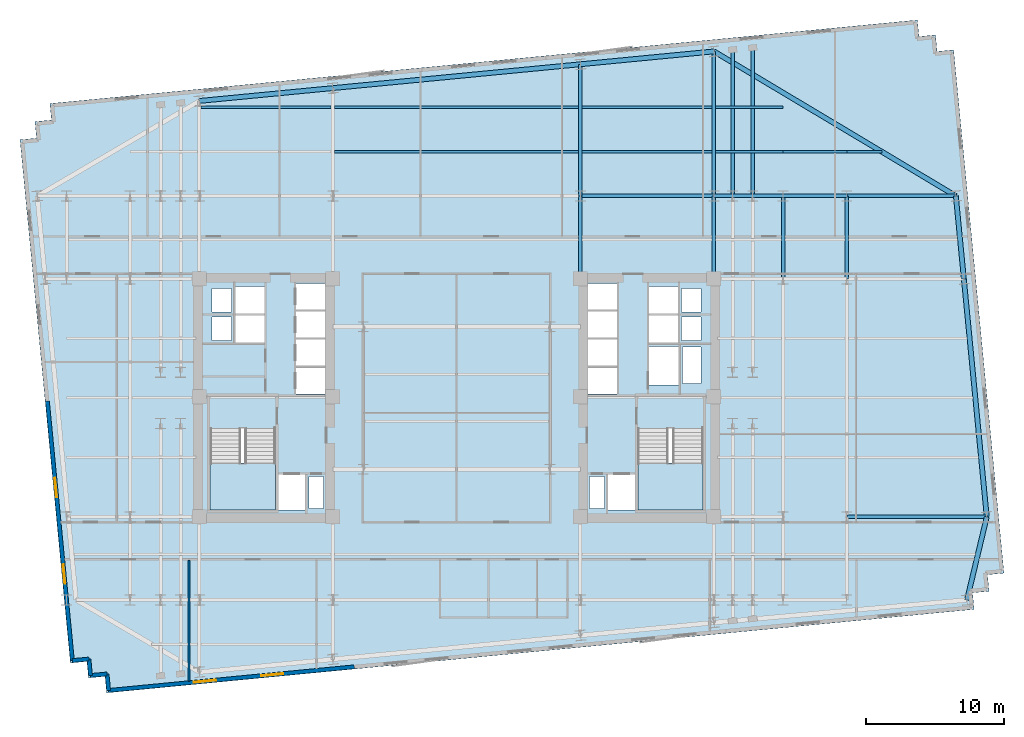
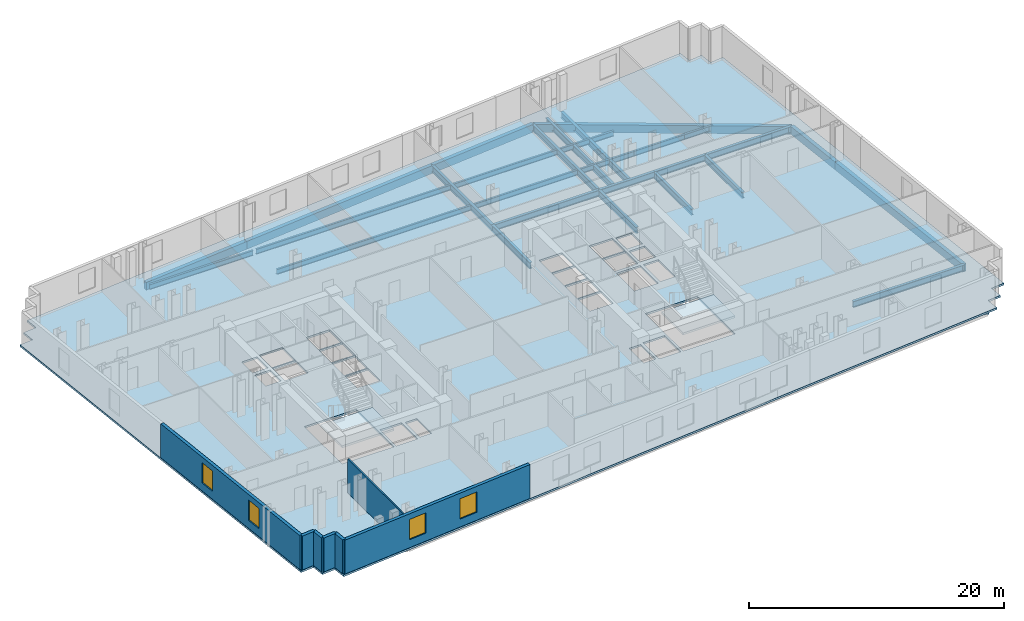
# One storey, part 3 of 11: 29 beams, 7 walls, 4 windows, 3 slabs, 4 openings, 2 elements without a shape of their own.
"""IFC4 building model written with IfcOpenShell, lengths in metres."""

from ifc_helpers import new_model, si_unit, direction, frame, frame_2d, origin, origin_2d, place, context, subcontext, project, spatial, polyline, rectangle, i_section, outline, extrude, material, layer, layer_set, material_profile, profile_set, type_object, element, fill, aggregate, save


model = new_model("IFC4")

# Units and contexts
model_context = context("Model", 3, precision=1e-05, world=origin(), true_north=direction((0.0, 1.0)))
body_context = subcontext(model_context, "Body", "Model", "MODEL_VIEW")
ifc_project = project(units=[si_unit("LENGTHUNIT", "METRE"), si_unit("AREAUNIT", "SQUARE_METRE"), si_unit("VOLUMEUNIT", "CUBIC_METRE"), si_unit("PLANEANGLEUNIT", "RADIAN"), si_unit("MASSUNIT", "GRAM", prefix="KILO")], contexts=[model_context])

# Site, building, storey
site_placement = place(None, origin())
site = spatial("IfcSite", under=ifc_project, at=site_placement, CompositionType="ELEMENT")
building_placement = place(site_placement, origin())
building = spatial("IfcBuilding", under=site, at=building_placement, Name="Velakula Bourse", CompositionType="ELEMENT")
storey_placement = place(building_placement, frame((0.0, 0.0, 101.800048828125)))
storey = spatial("IfcBuildingStorey", under=building, at=storey_placement, Name="L27", CompositionType="ELEMENT", Elevation=101.800048828125)

# Beams
ifc_material_1 = material(Name="Steel IS 2062 Grade 350 (E350)", Category="steel")
ifc_material_profile_1 = material_profile(ifc_material_1, i_section(OverallWidth=0.25, OverallDepth=0.60009765625, WebThickness=0.01171875, FlangeThickness=0.023681640625, at=origin_2d()), Name="Steel IS 2062 Grade 350 (E350)")
ifc_profile_set_1 = profile_set([ifc_material_profile_1], Name="Steel IS 2062 Grade 350 (E350)")
beam_type_1 = type_object("IfcBeamType", Name="BM-GRD-600H", PredefinedType="BEAM", material=ifc_profile_set_1)
for number, where, z_axis, x_axis, name in (
    (1, (8.949951171875, 8.60009765625, -0.47998046875), (0.0, 1.0, 0.0), (-1.0, 0.0, 0.0), "L27 Fulcrum Grid Girder FLC-ECN"),
    (2, (18.60009765625, 8.60009765625, -0.47998046875), (0.0, 1.0, 0.0), (-1.0, 0.0, 0.0), "L27 Fulcrum Grid Girder FLC-EN"),
):
    element("IfcBeam", number, at=place(storey_placement, frame(where, z_axis=z_axis, x_axis=x_axis)), inside=storey, type_object=beam_type_1, Name=name, PredefinedType="BEAM", context=body_context, shape_type="SweptSolid", body=[
        extrude(i_section(OverallWidth=0.25, OverallDepth=0.60009765625, WebThickness=0.01171875, FlangeThickness=0.023681640625, at=origin_2d()), origin(), (0.0, 0.0, 1.0), 6.0),
    ])
beam_1_placement = place(storey_placement, frame((8.949951171875, 14.60009765625, -0.47998046875), z_axis=(1.0, 0.0, 0.0), x_axis=(0.0, 1.0, 0.0)))
element("IfcBeam", 3, at=beam_1_placement, inside=storey, type_object=beam_type_1, Name="L27 Fulcrum Grid Girder FLC-N3", PredefinedType="BEAM", context=body_context, shape_type="SweptSolid", body=[
    extrude(i_section(OverallWidth=0.25, OverallDepth=0.60009765625, WebThickness=0.01171875, FlangeThickness=0.023681640625, at=origin_2d()), origin(), (0.0, 0.0, 1.0), 9.650146484375),
])
beam_2_placement = place(storey_placement, frame((18.60009765625, 14.60009765625, -0.47998046875), z_axis=(1.0, 0.0, 0.0), x_axis=(0.0, 1.0, 0.0)))
element("IfcBeam", 4, at=beam_2_placement, inside=storey, type_object=beam_type_1, Name="L27 Fulcrum Grid Girder MWG-EN2", PredefinedType="BEAM", context=body_context, shape_type="SweptSolid", body=[
    extrude(i_section(OverallWidth=0.25, OverallDepth=0.60009765625, WebThickness=0.01171875, FlangeThickness=0.023681640625, at=origin_2d()), origin(), (0.0, 0.0, 1.0), 5.0),
])
beam_3_placement = place(storey_placement, frame((23.60009765625, 8.60009765625, -0.47998046875), z_axis=(0.0, 1.0, 0.0), x_axis=(-1.0, 0.0, 0.0)))
element("IfcBeam", 5, at=beam_3_placement, inside=storey, type_object=beam_type_1, Name="L27 Fulcrum Grid Girder MWG-ENS3", PredefinedType="BEAM", context=body_context, shape_type="SweptSolid", body=[
    extrude(i_section(OverallWidth=0.25, OverallDepth=0.60009765625, WebThickness=0.01171875, FlangeThickness=0.023681640625, at=origin_2d()), origin(), (0.0, 0.0, 1.0), 6.0),
])
beam_4_placement = place(storey_placement, frame((23.60009765625, 14.60009765625, -0.47998046875), z_axis=(1.0, 0.0, 0.0), x_axis=(0.0, 1.0, 0.0)))
element("IfcBeam", 6, at=beam_4_placement, inside=storey, type_object=beam_type_1, Name="L27 Fulcrum Grid Girder WNG-EN2", PredefinedType="BEAM", context=body_context, shape_type="SweptSolid", body=[
    extrude(i_section(OverallWidth=0.25, OverallDepth=0.60009765625, WebThickness=0.01171875, FlangeThickness=0.023681640625, at=origin_2d()), origin(), (0.0, 0.0, 1.0), 4.599853515625),
])
beam_5_placement = place(storey_placement, frame((28.199951171875, 8.60009765625, -0.47998046875), z_axis=(0.0, 1.0, 0.0), x_axis=(-1.0, 0.0, 0.0)))
element("IfcBeam", 7, at=beam_5_placement, inside=storey, type_object=beam_type_1, Name="L27 Fulcrum Grid Girder WNG-ENS3", PredefinedType="BEAM", context=body_context, shape_type="SweptSolid", body=[
    extrude(i_section(OverallWidth=0.25, OverallDepth=0.60009765625, WebThickness=0.01171875, FlangeThickness=0.023681640625, at=origin_2d()), origin(), (0.0, 0.0, 1.0), 6.0),
])
beam_6_placement = place(storey_placement, frame((8.949951171875, 14.60009765625, -0.47998046875), z_axis=(0.0, 1.0, 0.0), x_axis=(-1.0, 0.0, 0.0)))
element("IfcBeam", 8, at=beam_6_placement, inside=storey, type_object=beam_type_1, Name="L27 Perimeter Tie Girder N3", PredefinedType="BEAM", context=body_context, shape_type="SweptSolid", body=[
    extrude(i_section(OverallWidth=0.25, OverallDepth=0.60009765625, WebThickness=0.01171875, FlangeThickness=0.023681640625, at=origin_2d()), origin(), (0.0, 0.0, 1.0), 9.521484375),
])
beam_7_placement = place(storey_placement, frame((18.60009765625, 14.60009765625, -0.47998046875), z_axis=(0.0, 1.0, 0.0), x_axis=(-1.0, 0.0, 0.0)))
element("IfcBeam", 9, at=beam_7_placement, inside=storey, type_object=beam_type_1, Name="L27 Perimeter Tie Girder N4", PredefinedType="BEAM", context=body_context, shape_type="SweptSolid", body=[
    extrude(i_section(OverallWidth=0.25, OverallDepth=0.60009765625, WebThickness=0.01171875, FlangeThickness=0.023681640625, at=origin_2d()), origin(), (0.0, 0.0, 1.0), 10.45068359375),
])
beam_8_placement = place(storey_placement, frame((28.199951171875, -8.60009765625, -0.47998046875), z_axis=(1.0, 0.0, 0.0), x_axis=(0.0, 1.0, 0.0)))
element("IfcBeam", 10, at=beam_8_placement, inside=storey, type_object=beam_type_1, Name="L27 Perimeter Tie Girder E2", PredefinedType="BEAM", context=body_context, shape_type="SweptSolid", body=[
    extrude(i_section(OverallWidth=0.25, OverallDepth=0.60009765625, WebThickness=0.01171875, FlangeThickness=0.023681640625, at=origin_2d()), origin(), (0.0, 0.0, 1.0), 10.119873046875),
])
beam_9_placement = place(storey_placement, frame((28.199951171875, 14.60009765625, -0.47998046875), z_axis=(1.0, 0.0, 0.0), x_axis=(0.0, 1.0, 0.0)))
element("IfcBeam", 11, at=beam_9_placement, inside=storey, type_object=beam_type_1, Name="L27 Perimeter Tie Girder E4", PredefinedType="BEAM", context=body_context, shape_type="SweptSolid", body=[
    extrude(i_section(OverallWidth=0.25, OverallDepth=0.60009765625, WebThickness=0.01171875, FlangeThickness=0.023681640625, at=origin_2d()), origin(), (0.0, 0.0, 1.0), 7.885986328125),
])
beam_10_placement = place(storey_placement, frame((19.949951171875, 14.60009765625, -0.47998046875), z_axis=(0.0, 1.0, 0.0), x_axis=(-1.0, 0.0, 0.0)))
element("IfcBeam", 12, at=beam_10_placement, inside=storey, type_object=beam_type_1, Name="L27 Perimeter Tie Girder P07", PredefinedType="BEAM", context=body_context, shape_type="SweptSolid", body=[
    extrude(i_section(OverallWidth=0.25, OverallDepth=0.60009765625, WebThickness=0.01171875, FlangeThickness=0.023681640625, at=origin_2d()), origin(), (0.0, 0.0, 1.0), 10.580810546875),
])
beam_11_placement = place(storey_placement, frame((21.39990234375, 14.60009765625, -0.47998046875), z_axis=(0.0, 1.0, 0.0), x_axis=(-1.0, 0.0, 0.0)))
element("IfcBeam", 13, at=beam_11_placement, inside=storey, type_object=beam_type_1, Name="L27 Perimeter Tie Girder P08", PredefinedType="BEAM", context=body_context, shape_type="SweptSolid", body=[
    extrude(i_section(OverallWidth=0.25, OverallDepth=0.60009765625, WebThickness=0.01171875, FlangeThickness=0.023681640625, at=origin_2d()), origin(), (0.0, 0.0, 1.0), 10.720458984375),
])
ifc_material_profile_2 = material_profile(ifc_material_1, i_section(OverallWidth=0.179931640625, OverallDepth=0.5, WebThickness=0.01025390625, FlangeThickness=0.01708984375, at=origin_2d()), Name="Steel IS 2062 Grade 350 (E350)")
ifc_profile_set_2 = profile_set([ifc_material_profile_2], Name="Steel IS 2062 Grade 350 (E350)")
beam_type_2 = type_object("IfcBeamType", Name="JST-TWR-500", PredefinedType="JOIST", material=ifc_profile_set_2)
beam_12_placement = place(storey_placement, frame((-8.824951171875, 17.800048828125, -0.429931640625), z_axis=(1.0, 0.0, 0.0), x_axis=(0.0, 1.0, 0.0)))
element("IfcBeam", 14, at=beam_12_placement, inside=storey, type_object=beam_type_2, Name="L27 Trading Floor Composite Joist 22", PredefinedType="JOIST", context=body_context, shape_type="SweptSolid", body=[
    extrude(i_section(OverallWidth=0.179931640625, OverallDepth=0.5, WebThickness=0.01025390625, FlangeThickness=0.01708984375, at=origin_2d()), origin(), (0.0, 0.0, 1.0), 17.64990234375),
])
beam_13_placement = place(storey_placement, frame((9.074951171875, 17.800048828125, -0.429931640625), z_axis=(1.0, 0.0, 0.0), x_axis=(0.0, 1.0, 0.0)))
element("IfcBeam", 15, at=beam_13_placement, inside=storey, type_object=beam_type_2, Name="L27 Trading Floor Composite Joist 23", PredefinedType="JOIST", context=body_context, shape_type="SweptSolid", body=[
    extrude(i_section(OverallWidth=0.179931640625, OverallDepth=0.5, WebThickness=0.01025390625, FlangeThickness=0.01708984375, at=origin_2d()), origin(), (0.0, 0.0, 1.0), 9.400146484375),
])
beam_14_placement = place(storey_placement, frame((18.72509765625, 17.800048828125, -0.429931640625), z_axis=(1.0, 0.0, 0.0), x_axis=(0.0, 1.0, 0.0)))
element("IfcBeam", 16, at=beam_14_placement, inside=storey, type_object=beam_type_2, Name="L27 Trading Floor Composite Joist 24", PredefinedType="JOIST", context=body_context, shape_type="SweptSolid", body=[
    extrude(i_section(OverallWidth=0.179931640625, OverallDepth=0.5, WebThickness=0.01025390625, FlangeThickness=0.01708984375, at=origin_2d()), origin(), (0.0, 0.0, 1.0), 4.875),
])
beam_15_placement = place(storey_placement, frame((23.60009765625, 17.800048828125, -0.429931640625), z_axis=(1.0, 0.0, 0.0), x_axis=(0.0, 1.0, 0.0)))
element("IfcBeam", 17, at=beam_15_placement, inside=storey, type_object=beam_type_2, Name="L27 Trading Floor Composite Joist 25", PredefinedType="JOIST", context=body_context, shape_type="SweptSolid", body=[
    extrude(i_section(OverallWidth=0.179931640625, OverallDepth=0.5, WebThickness=0.01025390625, FlangeThickness=0.01708984375, at=origin_2d()), origin(), (0.0, 0.0, 1.0), 4.599853515625),
])
beam_16_placement = place(storey_placement, frame((28.199951171875, 17.800048828125, -0.429931640625), z_axis=(1.0, 0.0, 0.0), x_axis=(0.0, 1.0, 0.0)))
element("IfcBeam", 18, at=beam_16_placement, inside=storey, type_object=beam_type_2, Name="L27 Trading Floor Composite Joist 26", PredefinedType="JOIST", context=body_context, shape_type="SweptSolid", body=[
    extrude(i_section(OverallWidth=0.179931640625, OverallDepth=0.5, WebThickness=0.01025390625, FlangeThickness=0.01708984375, at=origin_2d()), origin(), (0.0, 0.0, 1.0), 2.53173828125),
])
beam_17_placement = place(storey_placement, frame((-18.47509765625, 21.0, -0.429931640625), z_axis=(1.0, 0.0, 0.0), x_axis=(0.0, 1.0, 0.0)))
element("IfcBeam", 19, at=beam_17_placement, inside=storey, type_object=beam_type_2, Name="L27 Trading Floor Composite Joist 27", PredefinedType="JOIST", context=body_context, shape_type="SweptSolid", body=[
    extrude(i_section(OverallWidth=0.179931640625, OverallDepth=0.5, WebThickness=0.01025390625, FlangeThickness=0.01708984375, at=origin_2d()), origin(), (0.0, 0.0, 1.0), 9.400146484375),
])
beam_18_placement = place(storey_placement, frame((-8.824951171875, 21.0, -0.429931640625), z_axis=(1.0, 0.0, 0.0), x_axis=(0.0, 1.0, 0.0)))
element("IfcBeam", 20, at=beam_18_placement, inside=storey, type_object=beam_type_2, Name="L27 Trading Floor Composite Joist 28", PredefinedType="JOIST", context=body_context, shape_type="SweptSolid", body=[
    extrude(i_section(OverallWidth=0.179931640625, OverallDepth=0.5, WebThickness=0.01025390625, FlangeThickness=0.01708984375, at=origin_2d()), origin(), (0.0, 0.0, 1.0), 17.64990234375),
])
beam_19_placement = place(storey_placement, frame((9.074951171875, 21.0, -0.429931640625), z_axis=(1.0, 0.0, 0.0), x_axis=(0.0, 1.0, 0.0)))
element("IfcBeam", 21, at=beam_19_placement, inside=storey, type_object=beam_type_2, Name="L27 Trading Floor Composite Joist 29", PredefinedType="JOIST", context=body_context, shape_type="SweptSolid", body=[
    extrude(i_section(OverallWidth=0.179931640625, OverallDepth=0.5, WebThickness=0.01025390625, FlangeThickness=0.01708984375, at=origin_2d()), origin(), (0.0, 0.0, 1.0), 9.400146484375),
])
beam_20_placement = place(storey_placement, frame((18.72509765625, 21.0, -0.429931640625), z_axis=(1.0, 0.0, 0.0), x_axis=(0.0, 1.0, 0.0)))
element("IfcBeam", 22, at=beam_20_placement, inside=storey, type_object=beam_type_2, Name="L27 Trading Floor Composite Joist 30", PredefinedType="JOIST", context=body_context, shape_type="SweptSolid", body=[
    extrude(i_section(OverallWidth=0.179931640625, OverallDepth=0.5, WebThickness=0.01025390625, FlangeThickness=0.01708984375, at=origin_2d()), origin(), (0.0, 0.0, 1.0), 4.875),
])
ifc_material_2 = material(Name="Precast concrete M45 (fck 45 MPa)", Category="concrete")
ifc_material_profile_3 = material_profile(ifc_material_2, rectangle(XDim=0.35009765625, YDim=0.75, at=origin_2d()), Name="Precast concrete M45 (fck 45 MPa)")
ifc_profile_set_3 = profile_set([ifc_material_profile_3], Name="Precast concrete M45 (fck 45 MPa)")
beam_type_3 = type_object("IfcBeamType", Name="SPN-BRICK-750", PredefinedType="SPANDREL", material=ifc_profile_set_3)
beam_21_placement = place(storey_placement, frame((-18.60009765625, 21.468994140625, -0.554931640625), z_axis=(0.99539623971, 0.095845323155, 0.0), x_axis=(-0.095845323155, 0.99539623971, 0.0)))
element("IfcBeam", 23, at=beam_21_placement, inside=storey, type_object=beam_type_3, Name="L27 Brick-Faced Precast Spandrel N1-N2", PredefinedType="SPANDREL", context=body_context, shape_type="SweptSolid", body=[
    extrude(rectangle(XDim=0.35009765625, YDim=0.75, at=origin_2d()), origin(), (0.0, 0.0, 1.0), 9.69482421875),
])
beam_22_placement = place(storey_placement, frame((-8.949951171875, 22.398193359375, -0.554931640625), z_axis=(0.995397131467, 0.095836061418, 0.0), x_axis=(-0.095836061418, 0.995397131467, 0.0)))
element("IfcBeam", 24, at=beam_22_placement, inside=storey, type_object=beam_type_3, Name="L27 Brick-Faced Precast Spandrel N2-N3", PredefinedType="SPANDREL", context=body_context, shape_type="SweptSolid", body=[
    extrude(rectangle(XDim=0.35009765625, YDim=0.75, at=origin_2d()), origin(), (0.0, 0.0, 1.0), 17.982666015625),
])
beam_23_placement = place(storey_placement, frame((8.949951171875, 24.12158203125, -0.554931640625), z_axis=(0.99539623971, 0.095845323155, 0.0), x_axis=(-0.095845323155, 0.99539623971, 0.0)))
element("IfcBeam", 25, at=beam_23_placement, inside=storey, type_object=beam_type_3, Name="L27 Brick-Faced Precast Spandrel N3-N4", PredefinedType="SPANDREL", context=body_context, shape_type="SweptSolid", body=[
    extrude(rectangle(XDim=0.35009765625, YDim=0.75, at=origin_2d()), origin(), (0.0, 0.0, 1.0), 9.69482421875),
])
beam_24_placement = place(storey_placement, frame((36.88818359375, -14.60009765625, -0.554931640625), z_axis=(0.232091371601, 0.972693988482, 0.0), x_axis=(-0.972693988482, 0.232091371601, 0.0)))
element("IfcBeam", 26, at=beam_24_placement, inside=storey, type_object=beam_type_3, Name="L27 Brick-Faced Precast Spandrel E1-E2", PredefinedType="SPANDREL", context=body_context, shape_type="SweptSolid", body=[
    extrude(rectangle(XDim=0.35009765625, YDim=0.75, at=origin_2d()), origin(), (0.0, 0.0, 1.0), 6.16845703125),
])
beam_25_placement = place(storey_placement, frame((38.31982421875, -8.60009765625, -0.554931640625), z_axis=(-0.095849167925, 0.995395869495, 0.0), x_axis=(-0.995395869495, -0.095849167925, 0.0)))
element("IfcBeam", 27, at=beam_25_placement, inside=storey, type_object=beam_type_3, Name="L27 Brick-Faced Precast Spandrel E2-E3", PredefinedType="SPANDREL", context=body_context, shape_type="SweptSolid", body=[
    extrude(rectangle(XDim=0.35009765625, YDim=0.75, at=origin_2d()), origin(), (0.0, 0.0, 1.0), 17.27978515625),
])
beam_26_placement = place(storey_placement, frame((36.66357421875, 8.60009765625, -0.554931640625), z_axis=(-0.095829714309, 0.995397742541, 0.0), x_axis=(-0.995397742541, -0.095829714309, 0.0)))
element("IfcBeam", 28, at=beam_26_placement, inside=storey, type_object=beam_type_3, Name="L27 Brick-Faced Precast Spandrel E3-E4", PredefinedType="SPANDREL", context=body_context, shape_type="SweptSolid", body=[
    extrude(rectangle(XDim=0.35009765625, YDim=0.75, at=origin_2d()), origin(), (0.0, 0.0, 1.0), 6.02783203125),
])
beam_27_placement = place(storey_placement, frame((36.0859375, 14.60009765625, -0.554931640625), z_axis=(-0.858375715449, 0.513021569846, 0.0), x_axis=(-0.513021569846, -0.858375715449, 0.0)))
element("IfcBeam", 29, at=beam_27_placement, inside=storey, type_object=beam_type_3, Name="L27 Brick-Faced Precast Spandrel E4-N4", PredefinedType="SPANDREL", context=body_context, shape_type="SweptSolid", body=[
    extrude(rectangle(XDim=0.35009765625, YDim=0.75, at=origin_2d()), origin(), (0.0, 0.0, 1.0), 20.370849609375),
])

# Stair, slab
ifc_material_3 = material(Name="Concrete M45 (fck 45 MPa)", Category="concrete")
stair_type = type_object("IfcStairType", Name="STR-DOG-390", PredefinedType="HALF_TURN_STAIR", material=ifc_material_3)
stair_1_placement = place(storey_placement, origin())
stair_1 = element("IfcStair", 30, at=stair_1_placement, inside=storey, type_object=stair_type, Name="L27 West Core Exit Stair ST-W1", PredefinedType="HALF_TURN_STAIR")
ifc_layer_1 = layer(ifc_material_3, 0.199951171875, Name="Concrete M45 (fck 45 MPa)", Category="concrete")
ifc_layer_set_1 = layer_set([ifc_layer_1], Name="Concrete M45 (fck 45 MPa)")
slab_type_1 = type_object("IfcSlabType", Name="SLB-STAIR-LND-200", PredefinedType="LANDING", material=ifc_layer_set_1)
slab_1_placement = place(storey_placement, frame((0.0, 0.0, 1.52490234375)))
slab_1 = element("IfcSlab", 31, at=slab_1_placement, type_object=slab_type_1, Name="ST-W1 landing 1", PredefinedType="LANDING", context=body_context, shape_type="SweptSolid", body=[
    extrude(outline(polyline([(-17.820068359375, -4.719970703125), (-17.820068359375, -8.10009765625), (-13.10009765625, -8.10009765625), (-13.10009765625, -4.719970703125), (-17.820068359375, -4.719970703125)])), origin(), (0.0, 0.0, 1.0), 0.199951171875),
])
aggregate(stair_1, [slab_1])

stair_2_placement = place(storey_placement, origin())
stair_2 = element("IfcStair", 32, at=stair_2_placement, inside=storey, type_object=stair_type, Name="L27 East Core Exit Stair ST-E1", PredefinedType="HALF_TURN_STAIR")
slab_2_placement = place(storey_placement, frame((0.0, 0.0, 1.52490234375)))
slab_2 = element("IfcSlab", 33, at=slab_2_placement, type_object=slab_type_1, Name="ST-E1 landing 1", PredefinedType="LANDING", context=body_context, shape_type="SweptSolid", body=[
    extrude(outline(polyline([(13.10009765625, -4.719970703125), (13.10009765625, -8.10009765625), (17.820068359375, -8.10009765625), (17.820068359375, -4.719970703125), (13.10009765625, -4.719970703125)])), origin(), (0.0, 0.0, 1.0), 0.199951171875),
])
aggregate(stair_2, [slab_2])

# Slab
ifc_material_4 = material(Name="Concrete M50 (fck 50 MPa)", Category="concrete")
ifc_layer_2 = layer(ifc_material_4, 0.179931640625, Name="Concrete M50 (fck 50 MPa)", Category="concrete")
ifc_layer_set_2 = layer_set([ifc_layer_2], Name="Concrete M50 (fck 50 MPa)")
slab_type_2 = type_object("IfcSlabType", Name="SLB-TWR-180", PredefinedType="FLOOR", material=ifc_layer_set_2)
slab_3_placement = place(storey_placement, frame((0.0, 0.0, -0.179931640625)))
element("IfcSlab", 34, at=slab_3_placement, inside=storey, type_object=slab_type_2, Name="L27 Suspended Structural Floor Slab", PredefinedType="FLOOR", context=body_context, shape_type="SweptSolid", body=[
    extrude(outline(polyline([(-25.303955078125, -21.320556640625), (37.406005859375, -15.2822265625), (37.291015625, -14.087890625), (38.485595703125, -13.972900390625), (38.37060546875, -12.7783203125), (39.56494140625, -12.663330078125), (35.9228515625, 25.16162109375), (34.728271484375, 25.046630859375), (34.61328125, 26.2412109375), (33.4189453125, 26.126220703125), (33.303955078125, 27.320556640625), (-29.406005859375, 21.2822265625), (-29.291015625, 20.087890625), (-30.485595703125, 19.972900390625), (-30.37060546875, 18.7783203125), (-31.56494140625, 18.663330078125), (-27.9228515625, -19.16162109375), (-26.728271484375, -19.046630859375), (-26.61328125, -20.2412109375), (-25.4189453125, -20.126220703125), (-25.303955078125, -21.320556640625)]), holes=[polyline([(-17.820068359375, -8.10009765625), (-13.10009765625, -8.10009765625), (-13.10009765625, -2.199951171875), (-17.820068359375, -2.199951171875), (-17.820068359375, -8.10009765625)]), polyline([(13.10009765625, -8.10009765625), (17.820068359375, -8.10009765625), (17.820068359375, -2.199951171875), (13.10009765625, -2.199951171875), (13.10009765625, -8.10009765625)]), polyline([(-12.89990234375, -8.10009765625), (-10.949951171875, -8.10009765625), (-10.949951171875, -5.550048828125), (-12.89990234375, -5.550048828125), (-12.89990234375, -8.10009765625)]), polyline([(10.949951171875, -8.10009765625), (12.89990234375, -8.10009765625), (12.89990234375, -5.550048828125), (10.949951171875, -5.550048828125), (10.949951171875, -8.10009765625)]), polyline([(13.89990234375, 0.919921875), (16.050048828125, 0.919921875), (16.050048828125, 3.719970703125), (13.89990234375, 3.719970703125), (13.89990234375, 0.919921875)]), polyline([(-10.679931640625, -7.97998046875), (-9.6201171875, -7.97998046875), (-9.6201171875, -5.669921875), (-10.679931640625, -5.669921875), (-10.679931640625, -7.97998046875)]), polyline([(-17.679931640625, 4.139892578125), (-16.27001953125, 4.139892578125), (-16.27001953125, 5.85009765625), (-17.679931640625, 5.85009765625), (-17.679931640625, 4.139892578125)]), polyline([(-17.679931640625, 6.2099609375), (-16.27001953125, 6.2099609375), (-16.27001953125, 7.919921875), (-17.679931640625, 7.919921875), (-17.679931640625, 6.2099609375)]), polyline([(9.6201171875, -7.97998046875), (10.679931640625, -7.97998046875), (10.679931640625, -5.669921875), (9.6201171875, -5.669921875), (9.6201171875, -7.97998046875)]), polyline([(16.27001953125, 4.139892578125), (17.679931640625, 4.139892578125), (17.679931640625, 5.85009765625), (16.27001953125, 5.85009765625), (16.27001953125, 4.139892578125)]), polyline([(16.27001953125, 6.2099609375), (17.679931640625, 6.2099609375), (17.679931640625, 7.919921875), (16.27001953125, 7.919921875), (16.27001953125, 6.2099609375)]), polyline([(16.320068359375, 1.0400390625), (17.679931640625, 1.0400390625), (17.679931640625, 3.699951171875), (16.320068359375, 3.699951171875), (16.320068359375, 1.0400390625)]), polyline([(-11.60009765625, 0.280029296875), (-9.5, 0.280029296875), (-9.5, 2.199951171875), (-11.60009765625, 2.199951171875), (-11.60009765625, 0.280029296875)]), polyline([(-11.60009765625, 2.31005859375), (-9.5, 2.31005859375), (-9.5, 4.22998046875), (-11.60009765625, 4.22998046875), (-11.60009765625, 2.31005859375)]), polyline([(-11.60009765625, 4.340087890625), (-9.5, 4.340087890625), (-9.5, 6.260009765625), (-11.60009765625, 6.260009765625), (-11.60009765625, 4.340087890625)]), polyline([(-11.60009765625, 6.3701171875), (-9.5, 6.3701171875), (-9.5, 8.2900390625), (-11.60009765625, 8.2900390625), (-11.60009765625, 6.3701171875)]), polyline([(9.5, 0.280029296875), (11.60009765625, 0.280029296875), (11.60009765625, 2.199951171875), (9.5, 2.199951171875), (9.5, 0.280029296875)]), polyline([(9.5, 2.31005859375), (11.60009765625, 2.31005859375), (11.60009765625, 4.22998046875), (9.5, 4.22998046875), (9.5, 2.31005859375)]), polyline([(9.5, 4.340087890625), (11.60009765625, 4.340087890625), (11.60009765625, 6.260009765625), (9.5, 6.260009765625), (9.5, 4.340087890625)]), polyline([(9.5, 6.3701171875), (11.60009765625, 6.3701171875), (11.60009765625, 8.2900390625), (9.5, 8.2900390625), (9.5, 6.3701171875)]), polyline([(-16.0, 4.02001953125), (-13.89990234375, 4.02001953125), (-13.89990234375, 5.969970703125), (-16.0, 5.969970703125), (-16.0, 4.02001953125)]), polyline([(-16.0, 6.090087890625), (-13.89990234375, 6.090087890625), (-13.89990234375, 8.0400390625), (-16.0, 8.0400390625), (-16.0, 6.090087890625)]), polyline([(13.89990234375, 4.02001953125), (16.0, 4.02001953125), (16.0, 5.969970703125), (13.89990234375, 5.969970703125), (13.89990234375, 4.02001953125)]), polyline([(13.89990234375, 6.090087890625), (16.0, 6.090087890625), (16.0, 8.0400390625), (13.89990234375, 8.0400390625), (13.89990234375, 6.090087890625)])]), origin(), (0.0, 0.0, 1.0), 0.179931640625),
])

# Wall, openings, windows
ifc_material_5 = material(Name="Red kilned clay facing brick masonry", Category="masonry")
ifc_layer_3 = layer(ifc_material_5, 0.280029296875, Name="Red kilned clay facing brick masonry", Category="masonry")
ifc_layer_set_3 = layer_set([ifc_layer_3], Name="Red kilned clay facing brick masonry")
wall_type_1 = type_object("IfcWallType", Name="WL-EXT-BRK-280", PredefinedType="STANDARD", material=ifc_layer_set_3)
wall_1_placement = place(storey_placement, frame((-7.402099609375, -19.43603515625, 0.0), z_axis=(0.0, 0.0, 1.0), x_axis=(-0.995395780835, -0.095850088663, 0.0)))
wall_1 = element("IfcWall", 35, at=wall_1_placement, inside=storey, type_object=wall_type_1, Name="L27 S Brick Spandrel Wall B1", PredefinedType="STANDARD", context=body_context, shape_type="SweptSolid", body=[
    extrude(rectangle(XDim=17.83984375, YDim=0.280029296875, at=frame_2d((8.919921875, 0.0))), origin(), (0.0, 0.0, 1.0), 3.25),
])
opening_1_placement = place(wall_1_placement, frame((5.146728515625, 0.0, 0.760009765625)))
opening_1 = element("IfcOpeningElement", 36, at=opening_1_placement, cuts=wall_1, Name="Opening W-02", PredefinedType="OPENING", context=body_context, shape_type="SweptSolid", body=[
    extrude(rectangle(XDim=1.60009765625, YDim=1.949951171875, at=frame_2d((0.800048828125, 0.97509765625))), frame((0.0, 0.14990234375, 0.0), z_axis=(0.0, -1.0, 0.0), x_axis=(1.0, 0.0, 0.0)), (0.0, 0.0, 1.0), 0.300048828125),
])
opening_2_placement = place(wall_1_placement, frame((10.043212890625, 0.0, 0.760009765625)))
opening_2 = element("IfcOpeningElement", 37, at=opening_2_placement, cuts=wall_1, Name="Opening W-02", PredefinedType="OPENING", context=body_context, shape_type="SweptSolid", body=[
    extrude(rectangle(XDim=1.60009765625, YDim=1.949951171875, at=frame_2d((0.800048828125, 0.97509765625))), frame((0.0, 0.14990234375, 0.0), z_axis=(0.0, -1.0, 0.0), x_axis=(1.0, 0.0, 0.0)), (0.0, 0.0, 1.0), 0.300048828125),
])
ifc_material_6 = material(Name="Double-glazed solar-control Low-E glass", Category="glass")
window_type_1 = type_object("IfcWindowType", Name="WIN-TWR-1600x2100", PartitioningType="SINGLE_PANEL", PredefinedType="WINDOW", material=ifc_material_6)
window_1_placement = place(opening_1_placement, origin())
window_1 = element("IfcWindow", 38, at=window_1_placement, inside=storey, type_object=window_type_1, Name="L27 Deep-Set Recessed Window 1", OverallHeight=1.949951171875, OverallWidth=1.60009765625, PartitioningType="SINGLE_PANEL", PredefinedType="WINDOW", context=body_context, shape_type="SweptSolid", body=[
    extrude(rectangle(XDim=1.60009765625, YDim=1.949951171875, at=frame_2d((0.800048828125, 0.97509765625))), frame((0.0, 0.030029296875, 0.0), z_axis=(0.0, -1.0, 0.0), x_axis=(1.0, 0.0, 0.0)), (0.0, 0.0, 1.0), 0.06005859375),
])
fill(opening_1, window_1)
window_2_placement = place(opening_2_placement, origin())
window_2 = element("IfcWindow", 39, at=window_2_placement, inside=storey, type_object=window_type_1, Name="L27 Deep-Set Recessed Window 2", OverallHeight=1.949951171875, OverallWidth=1.60009765625, PartitioningType="SINGLE_PANEL", PredefinedType="WINDOW", context=body_context, shape_type="SweptSolid", body=[
    extrude(rectangle(XDim=1.60009765625, YDim=1.949951171875, at=frame_2d((0.800048828125, 0.97509765625))), frame((0.0, 0.030029296875, 0.0), z_axis=(0.0, -1.0, 0.0), x_axis=(1.0, 0.0, 0.0)), (0.0, 0.0, 1.0), 0.06005859375),
])
fill(opening_2, window_2)

wall_2_placement = place(storey_placement, frame((-27.779052734375, -18.987060546875, 0.0), z_axis=(0.0, 0.0, 1.0), x_axis=(-0.095842534142, 0.995396508256, 0.0)))
wall_2 = element("IfcWall", 40, at=wall_2_placement, inside=storey, type_object=wall_type_1, Name="L27 W Brick End Wall W1", PredefinedType="STANDARD", context=body_context, shape_type="SweptSolid", body=[
    extrude(rectangle(XDim=18.83984375, YDim=0.280029296875, at=frame_2d((9.419921875, 0.0))), origin(), (0.0, 0.0, 1.0), 3.25),
])
opening_3_placement = place(wall_2_placement, frame((5.580078125, 0.0, 0.760009765625)))
opening_3 = element("IfcOpeningElement", 41, at=opening_3_placement, cuts=wall_2, Name="Opening W-03", PredefinedType="OPENING", context=body_context, shape_type="SweptSolid", body=[
    extrude(rectangle(XDim=1.39990234375, YDim=1.949951171875, at=frame_2d((0.699951171875, 0.97509765625))), frame((0.0, 0.14990234375, 0.0), z_axis=(0.0, -1.0, 0.0), x_axis=(1.0, 0.0, 0.0)), (0.0, 0.0, 1.0), 0.300048828125),
])
opening_4_placement = place(wall_2_placement, frame((11.860107421875, 0.0, 0.760009765625)))
opening_4 = element("IfcOpeningElement", 42, at=opening_4_placement, cuts=wall_2, Name="Opening W-03", PredefinedType="OPENING", context=body_context, shape_type="SweptSolid", body=[
    extrude(rectangle(XDim=1.39990234375, YDim=1.949951171875, at=frame_2d((0.699951171875, 0.97509765625))), frame((0.0, 0.14990234375, 0.0), z_axis=(0.0, -1.0, 0.0), x_axis=(1.0, 0.0, 0.0)), (0.0, 0.0, 1.0), 0.300048828125),
])
window_type_2 = type_object("IfcWindowType", Name="WIN-TWR-1400x2100", PartitioningType="SINGLE_PANEL", PredefinedType="WINDOW", material=ifc_material_6)
window_3_placement = place(opening_3_placement, origin())
window_3 = element("IfcWindow", 43, at=window_3_placement, inside=storey, type_object=window_type_2, Name="L27 Deep-Set Recessed Window 1", OverallHeight=1.949951171875, OverallWidth=1.39990234375, PartitioningType="SINGLE_PANEL", PredefinedType="WINDOW", context=body_context, shape_type="SweptSolid", body=[
    extrude(rectangle(XDim=1.39990234375, YDim=1.949951171875, at=frame_2d((0.699951171875, 0.97509765625))), frame((0.0, 0.030029296875, 0.0), z_axis=(0.0, -1.0, 0.0), x_axis=(1.0, 0.0, 0.0)), (0.0, 0.0, 1.0), 0.06005859375),
])
fill(opening_3, window_3)
window_4_placement = place(opening_4_placement, origin())
window_4 = element("IfcWindow", 44, at=window_4_placement, inside=storey, type_object=window_type_2, Name="L27 Deep-Set Recessed Window 2", OverallHeight=1.949951171875, OverallWidth=1.39990234375, PartitioningType="SINGLE_PANEL", PredefinedType="WINDOW", context=body_context, shape_type="SweptSolid", body=[
    extrude(rectangle(XDim=1.39990234375, YDim=1.949951171875, at=frame_2d((0.699951171875, 0.97509765625))), frame((0.0, 0.030029296875, 0.0), z_axis=(0.0, -1.0, 0.0), x_axis=(1.0, 0.0, 0.0)), (0.0, 0.0, 1.0), 0.06005859375),
])
fill(opening_4, window_4)

# Walls
for number, where, z_axis, x_axis, name in (
    (45, (-27.779052734375, -18.987060546875, 0.0), (0.0, 0.0, 1.0), (0.995398960025, 0.095817067274, 0.0), "L27 Serrated Corner Brick Wall SW-1"),
    (46, (-26.58447265625, -18.8720703125, 0.0), (0.0, 0.0, 1.0), (0.095817067274, -0.995398960025, 0.0), "L27 Serrated Corner Brick Wall SW-2"),
    (47, (-26.469482421875, -20.066650390625, 0.0), (0.0, 0.0, 1.0), (0.995398960025, 0.095817067274, 0.0), "L27 Serrated Corner Brick Wall SW-3"),
):
    element("IfcWall", number, at=place(storey_placement, frame(where, z_axis=z_axis, x_axis=x_axis)), inside=storey, type_object=wall_type_1, Name=name, PredefinedType="STANDARD", context=body_context, shape_type="SweptSolid", body=[
        extrude(rectangle(XDim=1.2001953125, YDim=0.280029296875, at=frame_2d((0.60009765625, 0.0))), origin(), (0.0, 0.0, 1.0), 3.25),
    ])
wall_3_placement = place(storey_placement, frame((-25.27490234375, -19.95166015625, 0.0), z_axis=(0.0, 0.0, 1.0), x_axis=(0.095836473879, -0.995397091755, 0.0)))
element("IfcWall", 48, at=wall_3_placement, inside=storey, type_object=wall_type_1, Name="L27 Serrated Corner Brick Wall SW-4", PredefinedType="STANDARD", context=body_context, shape_type="SweptSolid", body=[
    extrude(rectangle(XDim=1.199951171875, YDim=0.280029296875, at=frame_2d((0.60009765625, 0.0))), origin(), (0.0, 0.0, 1.0), 3.25),
])
ifc_material_7 = material(Name="Fire-rated double-layer gypsum drywall partition", Category="gypsum")
ifc_layer_4 = layer(ifc_material_7, 0.1201171875, Name="Fire-rated double-layer gypsum drywall partition", Category="gypsum")
ifc_layer_set_4 = layer_set([ifc_layer_4], Name="Fire-rated double-layer gypsum drywall partition")
wall_type_2 = type_object("IfcWallType", Name="WL-PART-120", PredefinedType="STANDARD", material=ifc_layer_set_4)
wall_4_placement = place(storey_placement, frame((-19.35400390625, -20.46630859375, 0.0), z_axis=(0.0, 0.0, 1.0), x_axis=(0.0, 1.0, 0.0)))
element("IfcWall", 49, at=wall_4_placement, inside=storey, type_object=wall_type_2, Name="L27 Interior Partition WL-INT-L27-SL-D5", PredefinedType="STANDARD", context=body_context, shape_type="SweptSolid", body=[
    extrude(rectangle(XDim=8.726318359375, YDim=0.1201171875, at=frame_2d((4.36328125, 0.0))), origin(), (0.0, 0.0, 1.0), 3.25),
])

save(model, "model.ifc")
